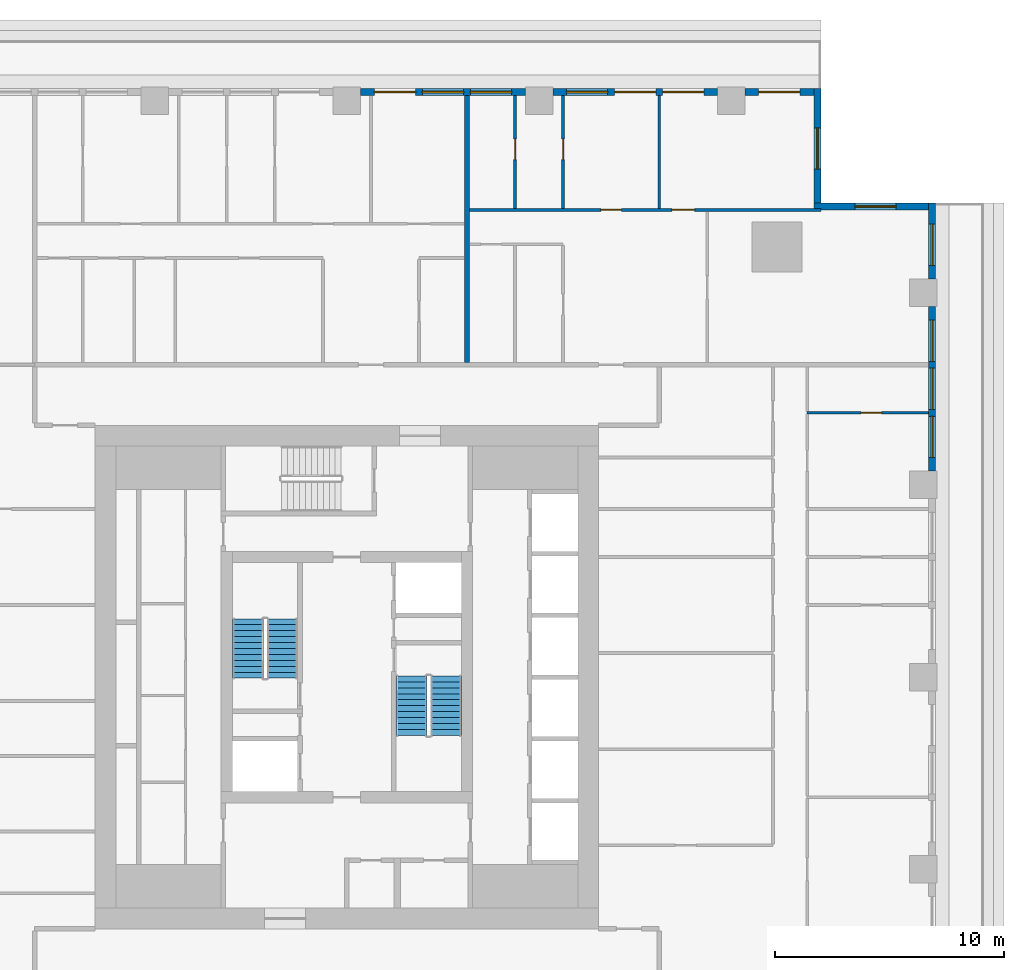
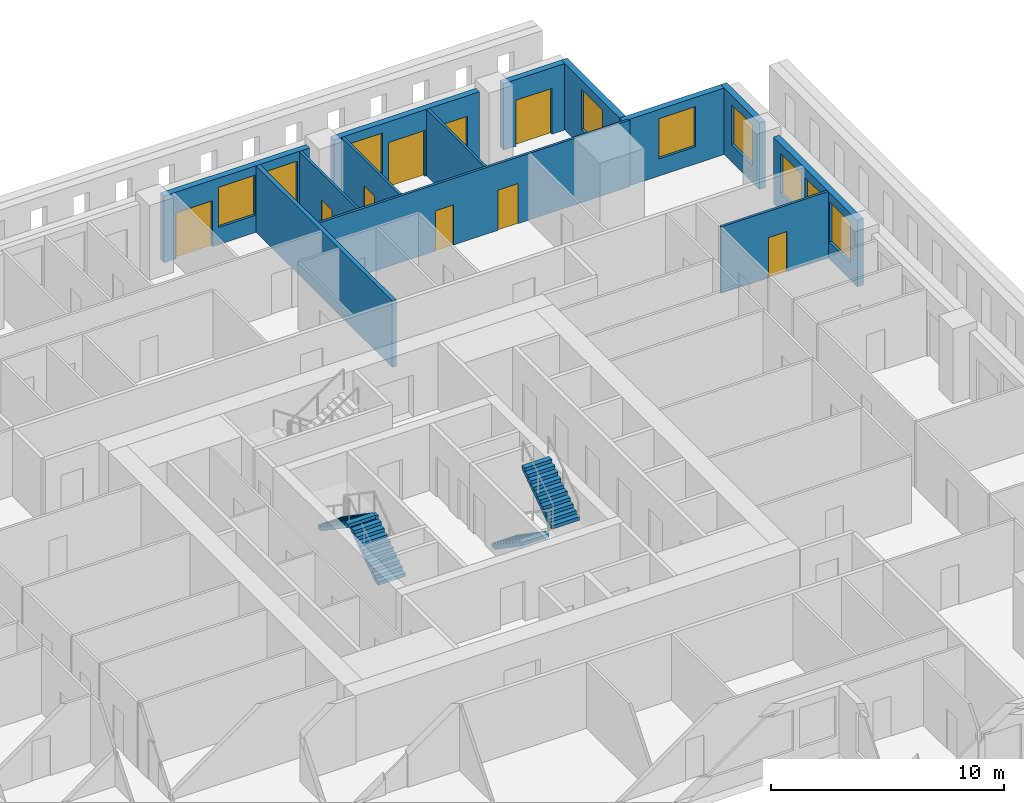
# One storey, part 9 of 15: 13 walls, 9 doors, 9 windows, 4 stair flights, 18 openings, 2 elements without a shape of their own.
"""IFC4 building model written with IfcOpenShell, lengths in metres."""

import ifcopenshell
import ifcopenshell.guid

model = None  # the IFC model being written
_history = None  # IfcOwnerHistory: only IFC2X3 demands one
_inside = {}  # id of a spatial element -> (the spatial element, [elements in it])
_under = {}  # id of a project, library or spatial element -> (it, [spatial elements below it])
_declared = {}  # id of a project -> (the project, [libraries it declares])
_typed = {}  # id of a type object -> (the type object, [elements of that type])
_made_of = {}  # id of a material, layer set ... -> (it, [elements and type objects made of it])


def new_model(schema):
    """Start an empty IFC model of exactly this schema.

    Asked for "IFC4X3", IfcOpenShell would pick the latest addendum, in which some entities
    have other attributes; the version numbers below select the first issue.
    IFC2X3 requires an IfcOwnerHistory on every rooted entity: one is made here for all.
    """
    global model, _history
    if schema == "IFC4X3":
        model = ifcopenshell.file(schema_version=(4, 3, 0, 0))
    else:
        model = ifcopenshell.file(schema=schema)
    _inside.clear()
    _under.clear()
    _declared.clear()
    _typed.clear()
    _made_of.clear()
    _history = None
    if model.schema == "IFC2X3":
        org = make("IfcOrganization", Name="unknown")
        user = make(
            "IfcPersonAndOrganization",
            ThePerson=make("IfcPerson", FamilyName="unknown"),
            TheOrganization=org,
        )
        app = make(
            "IfcApplication",
            ApplicationDeveloper=org,
            Version="unknown",
            ApplicationFullName="unknown",
            ApplicationIdentifier="unknown",
        )
        _history = make(
            "IfcOwnerHistory",
            OwningUser=user,
            OwningApplication=app,
            ChangeAction="ADDED",
            CreationDate=0,
        )
    return model


def make(cls, **values):
    """One entity of the class cls with the attributes given. An attribute that is None is left unset."""
    return model.create_entity(
        cls, **{name: value for name, value in values.items() if value is not None}
    )


def rooted(cls, **values):
    """An entity with a GlobalId (a new one), such as an element, a storey or a relation."""
    return make(cls, GlobalId=ifcopenshell.guid.new(), OwnerHistory=_history, **values)


def si_unit(unit_type, name, prefix=None):
    """IfcSIUnit, for example si_unit("LENGTHUNIT", "METRE", prefix="MILLI")."""
    return make("IfcSIUnit", UnitType=unit_type, Prefix=prefix, Name=name)


def assignment(units):
    """IfcUnitAssignment: the units of a project."""
    return None if units is None else make("IfcUnitAssignment", Units=units)


def point(xyz):
    """IfcCartesianPoint."""
    return None if xyz is None else make("IfcCartesianPoint", Coordinates=xyz)


def direction(xyz):
    """IfcDirection."""
    return None if xyz is None else make("IfcDirection", DirectionRatios=xyz)


def frame(location, z_axis=None, x_axis=None):
    """IfcAxis2Placement3D, a coordinate frame: its origin and axes. An axis left out is left unset."""
    return make(
        "IfcAxis2Placement3D",
        Location=point(location),
        Axis=direction(z_axis),
        RefDirection=direction(x_axis),
    )


def frame_2d(location, x_axis=None):
    """IfcAxis2Placement2D, a coordinate frame in the plane: its origin and x axis."""
    return make(
        "IfcAxis2Placement2D", Location=point(location), RefDirection=direction(x_axis)
    )


def origin():
    """The frame at (0, 0, 0) with its axes left unset."""
    return frame((0.0, 0.0, 0.0))


def place(relative_to, where):
    """IfcLocalPlacement: puts the frame where relative to a parent placement (None: the world)."""
    return make(
        "IfcLocalPlacement", PlacementRelTo=relative_to, RelativePlacement=where
    )


def context(
    kind, dimensions, precision=None, world=None, true_north=None, identifier=None
):
    """IfcGeometricRepresentationContext, for example the 3D "Model" context."""
    return make(
        "IfcGeometricRepresentationContext",
        ContextIdentifier=identifier,
        ContextType=kind,
        CoordinateSpaceDimension=dimensions,
        Precision=precision,
        WorldCoordinateSystem=world,
        TrueNorth=true_north,
    )


def subcontext(parent, identifier, kind, view, scale=None):
    """IfcGeometricRepresentationSubContext, for example "Body" below "Model"."""
    return make(
        "IfcGeometricRepresentationSubContext",
        ContextIdentifier=identifier,
        ContextType=kind,
        ParentContext=parent,
        TargetScale=scale,
        TargetView=view,
    )


def project(units=None, contexts=None):
    """IfcProject with its units and contexts."""
    return rooted(
        "IfcProject",
        Name="project",
        RepresentationContexts=contexts,
        UnitsInContext=assignment(units),
    )


def spatial(cls, under=None, at=None, **own):
    """A site, building, storey or space (cls), placed at a placement, below another one or the project."""
    s = rooted(cls, ObjectPlacement=at, **own)
    if under is not None:
        _under.setdefault(under.id(), (under, []))[1].append(s)
    return s


def polyline(points):
    """IfcPolyline through the points."""
    return make("IfcPolyline", Points=[point(p) for p in points])


def profile(cls, at=None, kind="AREA", **sizes):
    """A parametric profile (cls). Its sizes go by their IFC names, for example OverallWidth=200.0."""
    return make(cls, ProfileType=kind, Position=at, **sizes)


def rectangle(**sizes):
    """IfcRectangleProfileDef."""
    return profile("IfcRectangleProfileDef", **sizes)


def outline(outer, holes=None, kind="AREA"):
    """IfcArbitraryClosedProfileDef: a profile drawn as a closed curve; with holes, ...WithVoids."""
    if holes is None:
        return make("IfcArbitraryClosedProfileDef", ProfileType=kind, OuterCurve=outer)
    return make(
        "IfcArbitraryProfileDefWithVoids",
        ProfileType=kind,
        OuterCurve=outer,
        InnerCurves=holes,
    )


def extrude(swept, where, along, depth):
    """IfcExtrudedAreaSolid: the profile swept, set in the frame where, extruded along a direction by depth."""
    return make(
        "IfcExtrudedAreaSolid",
        SweptArea=swept,
        Position=where,
        ExtrudedDirection=direction(along),
        Depth=depth,
    )


def shape(context_of_items, identifier, shape_type, items):
    """IfcShapeRepresentation: the items that make up one representation, for example the "Body"."""
    return make(
        "IfcShapeRepresentation",
        ContextOfItems=context_of_items,
        RepresentationIdentifier=identifier,
        RepresentationType=shape_type,
        Items=items,
    )


def material(Name=None, Category=None):
    """IfcMaterial."""
    return make("IfcMaterial", Name=Name, Category=Category)


def layer(
    of_material, thickness, ventilated=None, Name=None, Category=None, Priority=None
):
    """IfcMaterialLayer: one layer of a wall or slab, of a material (None: an air gap)."""
    return make(
        "IfcMaterialLayer",
        Material=of_material,
        LayerThickness=thickness,
        IsVentilated=ventilated,
        Name=Name,
        Category=Category,
        Priority=Priority,
    )


def layer_set(layers, Name=None):
    """IfcMaterialLayerSet."""
    return make("IfcMaterialLayerSet", MaterialLayers=layers, LayerSetName=Name)


def made_of(thing, what):
    """Note that an element or type object is made of a material, layer set ...; save() writes the relation."""
    if what is not None:
        _made_of.setdefault(what.id(), (what, []))[1].append(thing)
    return thing


def type_object(cls, material=None, **own):
    """A type object (cls), such as IfcWallType, which elements share."""
    return made_of(rooted(cls, **own), material)


def element(
    cls,
    number,
    at=None,
    inside=None,
    cuts=None,
    type_object=None,
    material=None,
    context=None,
    identifier="Body",
    shape_type=None,
    held_by="IfcProductDefinitionShape",
    body=None,
    shapes=None,
    **own,
):
    """One element of the class cls, such as IfcWall. Its Tag is "e" and its number.

    at: its placement. inside: the storey or other place that contains it. cuts: it is an
    opening in that element (IfcRelVoidsElement). A single representation is given by context,
    identifier, shape_type and body (its items); several are given by shapes. held_by: the class
    of the entity that holds the representations. save() writes the other relations.
    """
    e = rooted(cls, Tag="e%d" % number, ObjectPlacement=at, **own)
    if body is not None:
        shapes = [shape(context, identifier, shape_type, body)]
    if shapes is not None:
        e.Representation = make(held_by, Representations=shapes)
    if inside is not None:
        _inside.setdefault(inside.id(), (inside, []))[1].append(e)
    if cuts is not None:
        rooted(
            "IfcRelVoidsElement", RelatingBuildingElement=cuts, RelatedOpeningElement=e
        )
    if type_object is not None:
        _typed.setdefault(type_object.id(), (type_object, []))[1].append(e)
    return made_of(e, material)


def fill(opening, filler):
    """IfcRelFillsElement: the door or window that sits in an opening."""
    return rooted(
        "IfcRelFillsElement",
        RelatingOpeningElement=opening,
        RelatedBuildingElement=filler,
    )


def aggregate(whole, parts):
    """IfcRelAggregates: a whole, such as a stair, and the parts it consists of."""
    return rooted("IfcRelAggregates", RelatingObject=whole, RelatedObjects=parts)


def save(model, path):
    """Write the relations noted so far, then the file.

    IfcRelAggregates (storeys below a building ...), IfcRelContainedInSpatialStructure (elements
    in a storey), IfcRelDefinesByType, IfcRelAssociatesMaterial and IfcRelDeclares: one each for
    every whole, place, type object, material and project.
    """
    for whole, parts in _under.values():
        aggregate(whole, parts)
    for where, things in _inside.values():
        rooted(
            "IfcRelContainedInSpatialStructure",
            RelatedElements=things,
            RelatingStructure=where,
        )
    for kind, things in _typed.values():
        rooted("IfcRelDefinesByType", RelatedObjects=things, RelatingType=kind)
    for what, things in _made_of.values():
        rooted("IfcRelAssociatesMaterial", RelatedObjects=things, RelatingMaterial=what)
    for by, libraries in _declared.values():
        rooted("IfcRelDeclares", RelatingContext=by, RelatedDefinitions=libraries)
    model.write(path)


model = new_model("IFC4")

# Units and contexts
model_context = context("Model", 3, precision=1e-05, world=origin(), true_north=direction((0.0, 1.0)))
body_context = subcontext(model_context, "Body", "Model", "MODEL_VIEW")
ifc_project = project(units=[si_unit("LENGTHUNIT", "METRE"), si_unit("AREAUNIT", "SQUARE_METRE"), si_unit("VOLUMEUNIT", "CUBIC_METRE"), si_unit("PLANEANGLEUNIT", "RADIAN"), si_unit("MASSUNIT", "GRAM", prefix="KILO")], contexts=[model_context])

# Site, building, storey
site_placement = place(None, origin())
site = spatial("IfcSite", under=ifc_project, at=site_placement, CompositionType="ELEMENT")
building_placement = place(site_placement, origin())
building = spatial("IfcBuilding", under=site, at=building_placement, Name="Khepri Terraces", CompositionType="ELEMENT")
storey_placement = place(building_placement, frame((0.0, 0.0, 260.10009765625)))
storey = spatial("IfcBuildingStorey", under=building, at=storey_placement, Name="L62", CompositionType="ELEMENT", Elevation=260.10009765625)

# Wall
ifc_material_1 = material(Name="Fire-rated gypsum plasterboard partition, mineral wool")
ifc_layer_1 = layer(ifc_material_1, 0.199951171875, Name="Fire-rated gypsum plasterboard partition, mineral wool")
ifc_layer_set_1 = layer_set([ifc_layer_1], Name="Fire-rated gypsum plasterboard partition, mineral wool")
wall_type_1 = type_object("IfcWallType", Name="WL-CORR-200", PredefinedType="PARTITIONING", material=ifc_layer_set_1)
wall_1_placement = place(storey_placement, frame((5.25, 13.75, 0.0), z_axis=(0.0, 0.0, 1.0), x_axis=(0.0, 1.0, 0.0)))
element("IfcWall", 1, at=wall_1_placement, inside=storey, type_object=wall_type_1, Name="Partition P-088 L62", PredefinedType="PARTITIONING", context=body_context, shape_type="SweptSolid", body=[
    extrude(rectangle(XDim=11.669921875, YDim=0.199951171875, at=frame_2d((5.8349609375, 0.0))), origin(), (0.0, 0.0, 1.0), 3.47998046875),
])

# Wall, openings, windows
ifc_material_2 = material(Name="Precast concrete C50/60 warm stone", Category="masonry")
ifc_layer_2 = layer(ifc_material_2, 0.300048828125, Name="Precast concrete C50/60 warm stone", Category="masonry")
ifc_layer_set_2 = layer_set([ifc_layer_2], Name="Precast concrete C50/60 warm stone")
wall_type_2 = type_object("IfcWallType", Name="WL-EXT-PRECAST-300", PredefinedType="STANDARD", material=ifc_layer_set_2)
wall_2_placement = place(storey_placement, frame((25.570068359375, 9.0, 0.0), z_axis=(0.0, 0.0, 1.0), x_axis=(0.0, 1.0, 0.0)))
wall_2 = element("IfcWall", 2, at=wall_2_placement, inside=storey, type_object=wall_type_2, Name="External wall L62 E", PredefinedType="STANDARD", context=body_context, shape_type="SweptSolid", body=[
    extrude(rectangle(XDim=7.199951171875, YDim=0.300048828125, at=frame_2d((3.60009765625, 0.0))), origin(), (0.0, 0.0, 1.0), 3.47998046875),
])
opening_1_placement = place(wall_2_placement, frame((0.60009765625, 0.0, 0.89990234375)))
opening_1 = element("IfcOpeningElement", 3, at=opening_1_placement, cuts=wall_2, Name="Opening W1", PredefinedType="OPENING", context=body_context, shape_type="SweptSolid", body=[
    extrude(rectangle(XDim=1.800048828125, YDim=2.10009765625, at=frame_2d((0.89990234375, 1.050048828125))), frame((0.0, 0.16015625, 0.0), z_axis=(0.0, -1.0, 0.0), x_axis=(1.0, 0.0, 0.0)), (0.0, 0.0, 1.0), 0.320068359375),
])
opening_2_placement = place(wall_2_placement, frame((2.699951171875, 0.0, 0.89990234375)))
opening_2 = element("IfcOpeningElement", 4, at=opening_2_placement, cuts=wall_2, Name="Opening W1", PredefinedType="OPENING", context=body_context, shape_type="SweptSolid", body=[
    extrude(rectangle(XDim=1.800048828125, YDim=2.10009765625, at=frame_2d((0.89990234375, 1.050048828125))), frame((0.0, 0.16015625, 0.0), z_axis=(0.0, -1.0, 0.0), x_axis=(1.0, 0.0, 0.0)), (0.0, 0.0, 1.0), 0.320068359375),
])
opening_3_placement = place(wall_2_placement, frame((4.800048828125, 0.0, 0.89990234375)))
opening_3 = element("IfcOpeningElement", 5, at=opening_3_placement, cuts=wall_2, Name="Opening W1", PredefinedType="OPENING", context=body_context, shape_type="SweptSolid", body=[
    extrude(rectangle(XDim=1.800048828125, YDim=2.10009765625, at=frame_2d((0.89990234375, 1.050048828125))), frame((0.0, 0.16015625, 0.0), z_axis=(0.0, -1.0, 0.0), x_axis=(1.0, 0.0, 0.0)), (0.0, 0.0, 1.0), 0.320068359375),
])
ifc_material_3 = material(Name="Clear glass", Category="glass")
window_type = type_object("IfcWindowType", Name="WIN-RES-1800x2100", PartitioningType="SINGLE_PANEL", PredefinedType="WINDOW", material=ifc_material_3)
window_1_placement = place(opening_1_placement, origin())
window_1 = element("IfcWindow", 6, at=window_1_placement, inside=storey, type_object=window_type, Name="Window L62 E", OverallHeight=2.10009765625, OverallWidth=1.800048828125, PartitioningType="SINGLE_PANEL", PredefinedType="WINDOW", context=body_context, shape_type="SweptSolid", body=[
    extrude(rectangle(XDim=1.800048828125, YDim=2.10009765625, at=frame_2d((0.89990234375, 1.050048828125))), frame((0.0, 0.030029296875, 0.0), z_axis=(0.0, -1.0, 0.0), x_axis=(1.0, 0.0, 0.0)), (0.0, 0.0, 1.0), 0.06005859375),
])
fill(opening_1, window_1)
window_2_placement = place(opening_2_placement, origin())
window_2 = element("IfcWindow", 7, at=window_2_placement, inside=storey, type_object=window_type, Name="Window L62 E", OverallHeight=2.10009765625, OverallWidth=1.800048828125, PartitioningType="SINGLE_PANEL", PredefinedType="WINDOW", context=body_context, shape_type="SweptSolid", body=[
    extrude(rectangle(XDim=1.800048828125, YDim=2.10009765625, at=frame_2d((0.89990234375, 1.050048828125))), frame((0.0, 0.030029296875, 0.0), z_axis=(0.0, -1.0, 0.0), x_axis=(1.0, 0.0, 0.0)), (0.0, 0.0, 1.0), 0.06005859375),
])
fill(opening_2, window_2)
window_3_placement = place(opening_3_placement, origin())
window_3 = element("IfcWindow", 8, at=window_3_placement, inside=storey, type_object=window_type, Name="Window L62 E", OverallHeight=2.10009765625, OverallWidth=1.800048828125, PartitioningType="SINGLE_PANEL", PredefinedType="WINDOW", context=body_context, shape_type="SweptSolid", body=[
    extrude(rectangle(XDim=1.800048828125, YDim=2.10009765625, at=frame_2d((0.89990234375, 1.050048828125))), frame((0.0, 0.030029296875, 0.0), z_axis=(0.0, -1.0, 0.0), x_axis=(1.0, 0.0, 0.0)), (0.0, 0.0, 1.0), 0.06005859375),
])
fill(opening_3, window_3)

# Wall, opening, window
wall_3_placement = place(storey_placement, frame((25.570068359375, 17.39990234375, 0.0), z_axis=(0.0, 0.0, 1.0), x_axis=(0.0, 1.0, 0.0)))
wall_3 = element("IfcWall", 9, at=wall_3_placement, inside=storey, type_object=wall_type_2, Name="External wall L62 E", PredefinedType="STANDARD", context=body_context, shape_type="SweptSolid", body=[
    extrude(rectangle(XDim=3.320068359375, YDim=0.300048828125, at=frame_2d((1.66015625, 0.0))), origin(), (0.0, 0.0, 1.0), 3.47998046875),
])
opening_4_placement = place(wall_3_placement, frame((0.60009765625, 0.0, 0.89990234375)))
opening_4 = element("IfcOpeningElement", 10, at=opening_4_placement, cuts=wall_3, Name="Opening W1", PredefinedType="OPENING", context=body_context, shape_type="SweptSolid", body=[
    extrude(rectangle(XDim=1.800048828125, YDim=2.10009765625, at=frame_2d((0.89990234375, 1.050048828125))), frame((0.0, 0.16015625, 0.0), z_axis=(0.0, -1.0, 0.0), x_axis=(1.0, 0.0, 0.0)), (0.0, 0.0, 1.0), 0.320068359375),
])
window_4_placement = place(opening_4_placement, origin())
window_4 = element("IfcWindow", 11, at=window_4_placement, inside=storey, type_object=window_type, Name="Window L62 E", OverallHeight=2.10009765625, OverallWidth=1.800048828125, PartitioningType="SINGLE_PANEL", PredefinedType="WINDOW", context=body_context, shape_type="SweptSolid", body=[
    extrude(rectangle(XDim=1.800048828125, YDim=2.10009765625, at=frame_2d((0.89990234375, 1.050048828125))), frame((0.0, 0.030029296875, 0.0), z_axis=(0.0, -1.0, 0.0), x_axis=(1.0, 0.0, 0.0)), (0.0, 0.0, 1.0), 0.06005859375),
])
fill(opening_4, window_4)

wall_4_placement = place(storey_placement, frame((25.419921875, 20.570068359375, 0.0), z_axis=(0.0, 0.0, 1.0), x_axis=(-1.0, 0.0, 0.0)))
wall_4 = element("IfcWall", 12, at=wall_4_placement, inside=storey, type_object=wall_type_2, Name="External wall L62 N", PredefinedType="STANDARD", context=body_context, shape_type="SweptSolid", body=[
    extrude(rectangle(XDim=5.0, YDim=0.300048828125, at=frame_2d((2.5, 0.0))), origin(), (0.0, 0.0, 1.0), 3.47998046875),
])
opening_5_placement = place(wall_4_placement, frame((1.419921875, 0.0, 0.89990234375)))
opening_5 = element("IfcOpeningElement", 13, at=opening_5_placement, cuts=wall_4, Name="Opening W1", PredefinedType="OPENING", context=body_context, shape_type="SweptSolid", body=[
    extrude(rectangle(XDim=1.800048828125, YDim=2.10009765625, at=frame_2d((0.89990234375, 1.050048828125))), frame((0.0, 0.16015625, 0.0), z_axis=(0.0, -1.0, 0.0), x_axis=(1.0, 0.0, 0.0)), (0.0, 0.0, 1.0), 0.320068359375),
])
window_5_placement = place(opening_5_placement, origin())
window_5 = element("IfcWindow", 14, at=window_5_placement, inside=storey, type_object=window_type, Name="Window L62 N", OverallHeight=2.10009765625, OverallWidth=1.800048828125, PartitioningType="SINGLE_PANEL", PredefinedType="WINDOW", context=body_context, shape_type="SweptSolid", body=[
    extrude(rectangle(XDim=1.800048828125, YDim=2.10009765625, at=frame_2d((0.89990234375, 1.050048828125))), frame((0.0, 0.030029296875, 0.0), z_axis=(0.0, -1.0, 0.0), x_axis=(1.0, 0.0, 0.0)), (0.0, 0.0, 1.0), 0.06005859375),
])
fill(opening_5, window_5)

wall_5_placement = place(storey_placement, frame((20.570068359375, 20.719970703125, 0.0), z_axis=(0.0, 0.0, 1.0), x_axis=(0.0, 1.0, 0.0)))
wall_5 = element("IfcWall", 15, at=wall_5_placement, inside=storey, type_object=wall_type_2, Name="External wall L62 E", PredefinedType="STANDARD", context=body_context, shape_type="SweptSolid", body=[
    extrude(rectangle(XDim=5.0, YDim=0.300048828125, at=frame_2d((2.5, 0.0))), origin(), (0.0, 0.0, 1.0), 3.47998046875),
])
opening_6_placement = place(wall_5_placement, frame((1.47998046875, 0.0, 0.89990234375)))
opening_6 = element("IfcOpeningElement", 16, at=opening_6_placement, cuts=wall_5, Name="Opening W1", PredefinedType="OPENING", context=body_context, shape_type="SweptSolid", body=[
    extrude(rectangle(XDim=1.800048828125, YDim=2.10009765625, at=frame_2d((0.89990234375, 1.050048828125))), frame((0.0, 0.16015625, 0.0), z_axis=(0.0, -1.0, 0.0), x_axis=(1.0, 0.0, 0.0)), (0.0, 0.0, 1.0), 0.320068359375),
])
window_6_placement = place(opening_6_placement, origin())
window_6 = element("IfcWindow", 17, at=window_6_placement, inside=storey, type_object=window_type, Name="Window L62 E", OverallHeight=2.10009765625, OverallWidth=1.800048828125, PartitioningType="SINGLE_PANEL", PredefinedType="WINDOW", context=body_context, shape_type="SweptSolid", body=[
    extrude(rectangle(XDim=1.800048828125, YDim=2.10009765625, at=frame_2d((0.89990234375, 1.050048828125))), frame((0.0, 0.030029296875, 0.0), z_axis=(0.0, -1.0, 0.0), x_axis=(1.0, 0.0, 0.0)), (0.0, 0.0, 1.0), 0.06005859375),
])
fill(opening_6, window_6)

# Wall, opening, door
wall_6_placement = place(storey_placement, frame((20.419921875, 25.570068359375, 0.0), z_axis=(0.0, 0.0, 1.0), x_axis=(-1.0, 0.0, 0.0)))
wall_6 = element("IfcWall", 18, at=wall_6_placement, inside=storey, type_object=wall_type_2, Name="External wall L62 N", PredefinedType="STANDARD", context=body_context, shape_type="SweptSolid", body=[
    extrude(rectangle(XDim=3.02001953125, YDim=0.300048828125, at=frame_2d((1.510009765625, 0.0))), origin(), (0.0, 0.0, 1.0), 3.47998046875),
])
opening_7_placement = place(wall_6_placement, frame((0.6201171875, 0.0, 0.0)))
opening_7 = element("IfcOpeningElement", 19, at=opening_7_placement, cuts=wall_6, Name="Opening ED-L62-07", PredefinedType="OPENING", context=body_context, shape_type="SweptSolid", body=[
    extrude(rectangle(XDim=1.800048828125, YDim=2.39990234375, at=frame_2d((0.89990234375, 1.199951171875))), frame((0.0, 0.16015625, 0.0), z_axis=(0.0, -1.0, 0.0), x_axis=(1.0, 0.0, 0.0)), (0.0, 0.0, 1.0), 0.320068359375),
])
ifc_material_4 = material(Name="Anodised aluminium bronze glazed door", Category="aluminium")
door_type_1 = type_object("IfcDoorType", Name="DR-BAL-SLIDE-1800x2400", OperationType="NOTDEFINED", PredefinedType="DOOR", material=ifc_material_4)
door_1_placement = place(opening_7_placement, origin())
door_1 = element("IfcDoor", 20, at=door_1_placement, inside=storey, type_object=door_type_1, Name="Balcony door L62 N", OperationType="SLIDING_TO_RIGHT", OverallHeight=2.39990234375, OverallWidth=1.800048828125, PredefinedType="DOOR", context=body_context, shape_type="SweptSolid", body=[
    extrude(rectangle(XDim=1.800048828125, YDim=2.39990234375, at=frame_2d((0.89990234375, 1.199951171875))), frame((0.0, 0.02490234375, 0.0), z_axis=(0.0, -1.0, 0.0), x_axis=(1.0, 0.0, 0.0)), (0.0, 0.0, 1.0), 0.050048828125),
])
fill(opening_7, door_1)

# Wall, openings, doors, window
wall_7_placement = place(storey_placement, frame((16.199951171875, 25.570068359375, 0.0), z_axis=(0.0, 0.0, 1.0), x_axis=(-1.0, 0.0, 0.0)))
wall_7 = element("IfcWall", 21, at=wall_7_placement, inside=storey, type_object=wall_type_2, Name="External wall L62 N", PredefinedType="STANDARD", context=body_context, shape_type="SweptSolid", body=[
    extrude(rectangle(XDim=7.199951171875, YDim=0.300048828125, at=frame_2d((3.60009765625, 0.0))), origin(), (0.0, 0.0, 1.0), 3.47998046875),
])
opening_8_placement = place(wall_7_placement, frame((0.60009765625, 0.0, 0.0)))
opening_8 = element("IfcOpeningElement", 22, at=opening_8_placement, cuts=wall_7, Name="Opening ED-L62-08", PredefinedType="OPENING", context=body_context, shape_type="SweptSolid", body=[
    extrude(rectangle(XDim=1.800048828125, YDim=2.39990234375, at=frame_2d((0.89990234375, 1.199951171875))), frame((0.0, 0.16015625, 0.0), z_axis=(0.0, -1.0, 0.0), x_axis=(1.0, 0.0, 0.0)), (0.0, 0.0, 1.0), 0.320068359375),
])
opening_9_placement = place(wall_7_placement, frame((2.699951171875, 0.0, 0.0)))
opening_9 = element("IfcOpeningElement", 23, at=opening_9_placement, cuts=wall_7, Name="Opening ED-L62-09", PredefinedType="OPENING", context=body_context, shape_type="SweptSolid", body=[
    extrude(rectangle(XDim=1.800048828125, YDim=2.39990234375, at=frame_2d((0.89990234375, 1.199951171875))), frame((0.0, 0.16015625, 0.0), z_axis=(0.0, -1.0, 0.0), x_axis=(1.0, 0.0, 0.0)), (0.0, 0.0, 1.0), 0.320068359375),
])
opening_10_placement = place(wall_7_placement, frame((4.800048828125, 0.0, 0.89990234375)))
opening_10 = element("IfcOpeningElement", 24, at=opening_10_placement, cuts=wall_7, Name="Opening W1", PredefinedType="OPENING", context=body_context, shape_type="SweptSolid", body=[
    extrude(rectangle(XDim=1.800048828125, YDim=2.10009765625, at=frame_2d((0.89990234375, 1.050048828125))), frame((0.0, 0.16015625, 0.0), z_axis=(0.0, -1.0, 0.0), x_axis=(1.0, 0.0, 0.0)), (0.0, 0.0, 1.0), 0.320068359375),
])
door_2_placement = place(opening_8_placement, origin())
door_2 = element("IfcDoor", 25, at=door_2_placement, inside=storey, type_object=door_type_1, Name="Balcony door L62 N", OperationType="SLIDING_TO_LEFT", OverallHeight=2.39990234375, OverallWidth=1.800048828125, PredefinedType="DOOR", context=body_context, shape_type="SweptSolid", body=[
    extrude(rectangle(XDim=1.800048828125, YDim=2.39990234375, at=frame_2d((0.89990234375, 1.199951171875))), frame((0.0, 0.02490234375, 0.0), z_axis=(0.0, -1.0, 0.0), x_axis=(1.0, 0.0, 0.0)), (0.0, 0.0, 1.0), 0.050048828125),
])
fill(opening_8, door_2)
door_3_placement = place(opening_9_placement, origin())
door_3 = element("IfcDoor", 26, at=door_3_placement, inside=storey, type_object=door_type_1, Name="Balcony door L62 N", OperationType="SLIDING_TO_RIGHT", OverallHeight=2.39990234375, OverallWidth=1.800048828125, PredefinedType="DOOR", context=body_context, shape_type="SweptSolid", body=[
    extrude(rectangle(XDim=1.800048828125, YDim=2.39990234375, at=frame_2d((0.89990234375, 1.199951171875))), frame((0.0, 0.02490234375, 0.0), z_axis=(0.0, -1.0, 0.0), x_axis=(1.0, 0.0, 0.0)), (0.0, 0.0, 1.0), 0.050048828125),
])
fill(opening_9, door_3)
window_7_placement = place(opening_10_placement, origin())
window_7 = element("IfcWindow", 27, at=window_7_placement, inside=storey, type_object=window_type, Name="Window L62 N", OverallHeight=2.10009765625, OverallWidth=1.800048828125, PartitioningType="SINGLE_PANEL", PredefinedType="WINDOW", context=body_context, shape_type="SweptSolid", body=[
    extrude(rectangle(XDim=1.800048828125, YDim=2.10009765625, at=frame_2d((0.89990234375, 1.050048828125))), frame((0.0, 0.030029296875, 0.0), z_axis=(0.0, -1.0, 0.0), x_axis=(1.0, 0.0, 0.0)), (0.0, 0.0, 1.0), 0.06005859375),
])
fill(opening_10, window_7)

# Wall, openings, door, windows
wall_8_placement = place(storey_placement, frame((7.800048828125, 25.570068359375, 0.0), z_axis=(0.0, 0.0, 1.0), x_axis=(-1.0, 0.0, 0.0)))
wall_8 = element("IfcWall", 28, at=wall_8_placement, inside=storey, type_object=wall_type_2, Name="External wall L62 N", PredefinedType="STANDARD", context=body_context, shape_type="SweptSolid", body=[
    extrude(rectangle(XDim=7.199951171875, YDim=0.300048828125, at=frame_2d((3.60009765625, 0.0))), origin(), (0.0, 0.0, 1.0), 3.47998046875),
])
opening_11_placement = place(wall_8_placement, frame((0.60009765625, 0.0, 0.89990234375)))
opening_11 = element("IfcOpeningElement", 29, at=opening_11_placement, cuts=wall_8, Name="Opening W1", PredefinedType="OPENING", context=body_context, shape_type="SweptSolid", body=[
    extrude(rectangle(XDim=1.800048828125, YDim=2.10009765625, at=frame_2d((0.89990234375, 1.050048828125))), frame((0.0, 0.16015625, 0.0), z_axis=(0.0, -1.0, 0.0), x_axis=(1.0, 0.0, 0.0)), (0.0, 0.0, 1.0), 0.320068359375),
])
opening_12_placement = place(wall_8_placement, frame((2.699951171875, 0.0, 0.89990234375)))
opening_12 = element("IfcOpeningElement", 30, at=opening_12_placement, cuts=wall_8, Name="Opening W1", PredefinedType="OPENING", context=body_context, shape_type="SweptSolid", body=[
    extrude(rectangle(XDim=1.800048828125, YDim=2.10009765625, at=frame_2d((0.89990234375, 1.050048828125))), frame((0.0, 0.16015625, 0.0), z_axis=(0.0, -1.0, 0.0), x_axis=(1.0, 0.0, 0.0)), (0.0, 0.0, 1.0), 0.320068359375),
])
opening_13_placement = place(wall_8_placement, frame((4.800048828125, 0.0, 0.0)))
opening_13 = element("IfcOpeningElement", 31, at=opening_13_placement, cuts=wall_8, Name="Opening ED-L62-10", PredefinedType="OPENING", context=body_context, shape_type="SweptSolid", body=[
    extrude(rectangle(XDim=1.800048828125, YDim=2.39990234375, at=frame_2d((0.89990234375, 1.199951171875))), frame((0.0, 0.16015625, 0.0), z_axis=(0.0, -1.0, 0.0), x_axis=(1.0, 0.0, 0.0)), (0.0, 0.0, 1.0), 0.320068359375),
])
door_4_placement = place(opening_13_placement, origin())
door_4 = element("IfcDoor", 32, at=door_4_placement, inside=storey, type_object=door_type_1, Name="Balcony door L62 N", OperationType="SLIDING_TO_RIGHT", OverallHeight=2.39990234375, OverallWidth=1.800048828125, PredefinedType="DOOR", context=body_context, shape_type="SweptSolid", body=[
    extrude(rectangle(XDim=1.800048828125, YDim=2.39990234375, at=frame_2d((0.89990234375, 1.199951171875))), frame((0.0, 0.02490234375, 0.0), z_axis=(0.0, -1.0, 0.0), x_axis=(1.0, 0.0, 0.0)), (0.0, 0.0, 1.0), 0.050048828125),
])
fill(opening_13, door_4)
window_8_placement = place(opening_11_placement, origin())
window_8 = element("IfcWindow", 33, at=window_8_placement, inside=storey, type_object=window_type, Name="Window L62 N", OverallHeight=2.10009765625, OverallWidth=1.800048828125, PartitioningType="SINGLE_PANEL", PredefinedType="WINDOW", context=body_context, shape_type="SweptSolid", body=[
    extrude(rectangle(XDim=1.800048828125, YDim=2.10009765625, at=frame_2d((0.89990234375, 1.050048828125))), frame((0.0, 0.030029296875, 0.0), z_axis=(0.0, -1.0, 0.0), x_axis=(1.0, 0.0, 0.0)), (0.0, 0.0, 1.0), 0.06005859375),
])
fill(opening_11, window_8)
window_9_placement = place(opening_12_placement, origin())
window_9 = element("IfcWindow", 34, at=window_9_placement, inside=storey, type_object=window_type, Name="Window L62 N", OverallHeight=2.10009765625, OverallWidth=1.800048828125, PartitioningType="SINGLE_PANEL", PredefinedType="WINDOW", context=body_context, shape_type="SweptSolid", body=[
    extrude(rectangle(XDim=1.800048828125, YDim=2.10009765625, at=frame_2d((0.89990234375, 1.050048828125))), frame((0.0, 0.030029296875, 0.0), z_axis=(0.0, -1.0, 0.0), x_axis=(1.0, 0.0, 0.0)), (0.0, 0.0, 1.0), 0.06005859375),
])
fill(opening_12, window_9)

# Wall, opening, door
ifc_material_5 = material(Name="Gypsum plasterboard partition")
ifc_layer_3 = layer(ifc_material_5, 0.1201171875, Name="Gypsum plasterboard partition")
ifc_layer_set_3 = layer_set([ifc_layer_3], Name="Gypsum plasterboard partition")
wall_type_3 = type_object("IfcWallType", Name="WL-PART-120", PredefinedType="PARTITIONING", material=ifc_layer_set_3)
wall_9_placement = place(storey_placement, frame((20.1201171875, 11.550048828125, 0.0), z_axis=(0.0, 0.0, 1.0), x_axis=(1.0, 0.0, 0.0)))
wall_9 = element("IfcWall", 35, at=wall_9_placement, inside=storey, type_object=wall_type_3, Name="Partition P-076 L62", PredefinedType="PARTITIONING", context=body_context, shape_type="SweptSolid", body=[
    extrude(rectangle(XDim=5.2998046875, YDim=0.1201171875, at=frame_2d((2.64990234375, 0.0))), origin(), (0.0, 0.0, 1.0), 3.47998046875),
])
opening_14_placement = place(wall_9_placement, frame((2.35009765625, 0.0, 0.0)))
opening_14 = element("IfcOpeningElement", 36, at=opening_14_placement, cuts=wall_9, Name="Opening D4", PredefinedType="OPENING", context=body_context, shape_type="SweptSolid", body=[
    extrude(rectangle(XDim=0.89990234375, YDim=2.10009765625, at=frame_2d((0.449951171875, 1.050048828125))), frame((0.0, 0.070068359375, 0.0), z_axis=(0.0, -1.0, 0.0), x_axis=(1.0, 0.0, 0.0)), (0.0, 0.0, 1.0), 0.14013671875),
])
ifc_material_6 = material(Name="Timber door leaf, moisture resistant", Category="wood")
door_type_2 = type_object("IfcDoorType", Name="DR-WET-900", OperationType="NOTDEFINED", PredefinedType="DOOR", material=ifc_material_6)
door_5_placement = place(opening_14_placement, origin())
door_5 = element("IfcDoor", 37, at=door_5_placement, inside=storey, type_object=door_type_2, Name="Door Bathroom", OperationType="SINGLE_SWING_RIGHT", OverallHeight=2.10009765625, OverallWidth=0.89990234375, PredefinedType="DOOR", context=body_context, shape_type="SweptSolid", body=[
    extrude(rectangle(XDim=0.89990234375, YDim=2.10009765625, at=frame_2d((0.449951171875, 1.050048828125))), frame((0.0, 0.02490234375, 0.0), z_axis=(0.0, -1.0, 0.0), x_axis=(1.0, 0.0, 0.0)), (0.0, 0.0, 1.0), 0.050048828125),
])
fill(opening_14, door_5)

# Wall, openings, doors
wall_10_placement = place(storey_placement, frame((5.35009765625, 20.419921875, 0.0), z_axis=(0.0, 0.0, 1.0), x_axis=(1.0, 0.0, 0.0)))
wall_10 = element("IfcWall", 38, at=wall_10_placement, inside=storey, type_object=wall_type_3, Name="Partition P-101 L62", PredefinedType="PARTITIONING", context=body_context, shape_type="SweptSolid", body=[
    extrude(rectangle(XDim=15.368896484375, YDim=0.1201171875, at=frame_2d((7.6845703125, 0.0))), origin(), (0.0, 0.0, 1.0), 3.47998046875),
])
opening_15_placement = place(wall_10_placement, frame((8.85009765625, 0.0, 0.0)))
opening_15 = element("IfcOpeningElement", 39, at=opening_15_placement, cuts=wall_10, Name="Opening D2", PredefinedType="OPENING", context=body_context, shape_type="SweptSolid", body=[
    extrude(rectangle(XDim=1.0, YDim=2.10009765625, at=frame_2d((0.5, 1.050048828125))), frame((0.0, 0.070068359375, 0.0), z_axis=(0.0, -1.0, 0.0), x_axis=(1.0, 0.0, 0.0)), (0.0, 0.0, 1.0), 0.14013671875),
])
opening_16_placement = place(wall_10_placement, frame((5.75, 0.0, 0.0)))
opening_16 = element("IfcOpeningElement", 40, at=opening_16_placement, cuts=wall_10, Name="Opening D3", PredefinedType="OPENING", context=body_context, shape_type="SweptSolid", body=[
    extrude(rectangle(XDim=0.89990234375, YDim=2.10009765625, at=frame_2d((0.449951171875, 1.050048828125))), frame((0.0, 0.070068359375, 0.0), z_axis=(0.0, -1.0, 0.0), x_axis=(1.0, 0.0, 0.0)), (0.0, 0.0, 1.0), 0.14013671875),
])
ifc_material_7 = material(Name="Timber door leaf, living room door", Category="wood")
door_type_3 = type_object("IfcDoorType", Name="DR-INT-1000", OperationType="NOTDEFINED", PredefinedType="DOOR", material=ifc_material_7)
door_6_placement = place(opening_15_placement, origin())
door_6 = element("IfcDoor", 41, at=door_6_placement, inside=storey, type_object=door_type_3, Name="Door Living Room", OperationType="SINGLE_SWING_RIGHT", OverallHeight=2.10009765625, OverallWidth=1.0, PredefinedType="DOOR", context=body_context, shape_type="SweptSolid", body=[
    extrude(rectangle(XDim=1.0, YDim=2.10009765625, at=frame_2d((0.5, 1.050048828125))), frame((0.0, 0.02490234375, 0.0), z_axis=(0.0, -1.0, 0.0), x_axis=(1.0, 0.0, 0.0)), (0.0, 0.0, 1.0), 0.050048828125),
])
fill(opening_15, door_6)
ifc_material_8 = material(Name="Timber door leaf", Category="wood")
door_type_4 = type_object("IfcDoorType", Name="DR-INT-900", OperationType="NOTDEFINED", PredefinedType="DOOR", material=ifc_material_8)
door_7_placement = place(opening_16_placement, origin())
door_7 = element("IfcDoor", 42, at=door_7_placement, inside=storey, type_object=door_type_4, Name="Door Master Bedroom", OperationType="SINGLE_SWING_LEFT", OverallHeight=2.10009765625, OverallWidth=0.89990234375, PredefinedType="DOOR", context=body_context, shape_type="SweptSolid", body=[
    extrude(rectangle(XDim=0.89990234375, YDim=2.10009765625, at=frame_2d((0.449951171875, 1.050048828125))), frame((0.0, 0.02490234375, 0.0), z_axis=(0.0, -1.0, 0.0), x_axis=(1.0, 0.0, 0.0)), (0.0, 0.0, 1.0), 0.050048828125),
])
fill(opening_16, door_7)

# Wall, opening, door
wall_11_placement = place(storey_placement, frame((7.35009765625, 20.47998046875, 0.0), z_axis=(0.0, 0.0, 1.0), x_axis=(0.0, 1.0, 0.0)))
wall_11 = element("IfcWall", 43, at=wall_11_placement, inside=storey, type_object=wall_type_3, Name="Partition P-102 L62", PredefinedType="PARTITIONING", context=body_context, shape_type="SweptSolid", body=[
    extrude(rectangle(XDim=4.93994140625, YDim=0.1201171875, at=frame_2d((2.469970703125, 0.0))), origin(), (0.0, 0.0, 1.0), 3.47998046875),
])
opening_17_placement = place(wall_11_placement, frame((2.139892578125, 0.0, 0.0)))
opening_17 = element("IfcOpeningElement", 44, at=opening_17_placement, cuts=wall_11, Name="Opening D4", PredefinedType="OPENING", context=body_context, shape_type="SweptSolid", body=[
    extrude(rectangle(XDim=0.89990234375, YDim=2.10009765625, at=frame_2d((0.449951171875, 1.050048828125))), frame((0.0, 0.070068359375, 0.0), z_axis=(0.0, -1.0, 0.0), x_axis=(1.0, 0.0, 0.0)), (0.0, 0.0, 1.0), 0.14013671875),
])
door_8_placement = place(opening_17_placement, origin())
door_8 = element("IfcDoor", 45, at=door_8_placement, inside=storey, type_object=door_type_2, Name="Door Bathroom", OperationType="SINGLE_SWING_RIGHT", OverallHeight=2.10009765625, OverallWidth=0.89990234375, PredefinedType="DOOR", context=body_context, shape_type="SweptSolid", body=[
    extrude(rectangle(XDim=0.89990234375, YDim=2.10009765625, at=frame_2d((0.449951171875, 1.050048828125))), frame((0.0, 0.02490234375, 0.0), z_axis=(0.0, -1.0, 0.0), x_axis=(1.0, 0.0, 0.0)), (0.0, 0.0, 1.0), 0.050048828125),
])
fill(opening_17, door_8)

wall_12_placement = place(storey_placement, frame((9.449951171875, 20.47998046875, 0.0), z_axis=(0.0, 0.0, 1.0), x_axis=(0.0, 1.0, 0.0)))
wall_12 = element("IfcWall", 46, at=wall_12_placement, inside=storey, type_object=wall_type_3, Name="Partition P-103 L62", PredefinedType="PARTITIONING", context=body_context, shape_type="SweptSolid", body=[
    extrude(rectangle(XDim=4.93994140625, YDim=0.1201171875, at=frame_2d((2.469970703125, 0.0))), origin(), (0.0, 0.0, 1.0), 3.47998046875),
])
opening_18_placement = place(wall_12_placement, frame((2.139892578125, 0.0, 0.0)))
opening_18 = element("IfcOpeningElement", 47, at=opening_18_placement, cuts=wall_12, Name="Opening D3", PredefinedType="OPENING", context=body_context, shape_type="SweptSolid", body=[
    extrude(rectangle(XDim=0.89990234375, YDim=2.10009765625, at=frame_2d((0.449951171875, 1.050048828125))), frame((0.0, 0.070068359375, 0.0), z_axis=(0.0, -1.0, 0.0), x_axis=(1.0, 0.0, 0.0)), (0.0, 0.0, 1.0), 0.14013671875),
])
door_9_placement = place(opening_18_placement, origin())
door_9 = element("IfcDoor", 48, at=door_9_placement, inside=storey, type_object=door_type_4, Name="Door Dressing Room", OperationType="SINGLE_SWING_RIGHT", OverallHeight=2.10009765625, OverallWidth=0.89990234375, PredefinedType="DOOR", context=body_context, shape_type="SweptSolid", body=[
    extrude(rectangle(XDim=0.89990234375, YDim=2.10009765625, at=frame_2d((0.449951171875, 1.050048828125))), frame((0.0, 0.02490234375, 0.0), z_axis=(0.0, -1.0, 0.0), x_axis=(1.0, 0.0, 0.0)), (0.0, 0.0, 1.0), 0.050048828125),
])
fill(opening_18, door_9)

# Wall
wall_13_placement = place(storey_placement, frame((13.64990234375, 20.47998046875, 0.0), z_axis=(0.0, 0.0, 1.0), x_axis=(0.0, 1.0, 0.0)))
element("IfcWall", 49, at=wall_13_placement, inside=storey, type_object=wall_type_3, Name="Partition P-104 L62", PredefinedType="PARTITIONING", context=body_context, shape_type="SweptSolid", body=[
    extrude(rectangle(XDim=4.93994140625, YDim=0.1201171875, at=frame_2d((2.469970703125, 0.0))), origin(), (0.0, 0.0, 1.0), 3.47998046875),
])

# Stair, stair flights
ifc_material_9 = material(Name="Concrete C40/50", Category="concrete")
stair_type = type_object("IfcStairType", Name="STAIR-RC-22R", PredefinedType="HALF_TURN_STAIR", material=ifc_material_9)
stair_1_placement = place(storey_placement, origin())
stair_1 = element("IfcStair", 50, at=stair_1_placement, inside=storey, type_object=stair_type, Name="L62 Exit Stair ST-1", PredefinedType="HALF_TURN_STAIR")
stair_flight_type = type_object("IfcStairFlightType", Name="SFL-RC-177.3", PredefinedType="STRAIGHT", material=ifc_material_9)
stair_flight_1_placement = place(storey_placement, frame((-2.824951171875, -0.050048828125, 0.0), z_axis=(0.0, 0.0, 1.0), x_axis=(0.0, 1.0, 0.0)))
stair_flight_1 = element("IfcStairFlight", 51, at=stair_flight_1_placement, type_object=stair_flight_type, Name="ST-1 flight 1", NumberOfRisers=11, NumberOfTreads=10, PredefinedType="STRAIGHT", RiserHeight=0.177272727, TreadLength=0.26, context=body_context, shape_type="SweptSolid", body=[
    extrude(outline(polyline([(0.0, 0.0), (0.0, 0.17724609375), (0.260009765625, 0.17724609375), (0.260009765625, 0.3544921875), (0.52001953125, 0.3544921875), (0.52001953125, 0.53173828125), (0.780029296875, 0.53173828125), (0.780029296875, 0.708984375), (1.0400390625, 0.708984375), (1.0400390625, 0.886474609375), (1.300048828125, 0.886474609375), (1.300048828125, 1.063720703125), (1.56005859375, 1.063720703125), (1.56005859375, 1.240966796875), (1.820068359375, 1.240966796875), (1.820068359375, 1.418212890625), (2.080078125, 1.418212890625), (2.080078125, 1.595458984375), (2.340087890625, 1.595458984375), (2.340087890625, 1.772705078125), (2.60009765625, 1.772705078125), (2.60009765625, 1.949951171875), (2.60009765625, 1.59130859375), (0.26611328125, 0.0), (0.0, 0.0)])), frame((0.0, 0.675048828125, 0.0), z_axis=(0.0, -1.0, 0.0), x_axis=(1.0, 0.0, 0.0)), (0.0, 0.0, 1.0), 1.35009765625),
])
stair_flight_2_placement = place(storey_placement, frame((-4.324951171875, 2.550048828125, 1.949951171875), z_axis=(0.0, 0.0, 1.0), x_axis=(0.0, -1.0, 0.0)))
stair_flight_2 = element("IfcStairFlight", 52, at=stair_flight_2_placement, type_object=stair_flight_type, Name="ST-1 flight 2", NumberOfRisers=11, NumberOfTreads=10, PredefinedType="STRAIGHT", RiserHeight=0.177272727, TreadLength=0.26, context=body_context, shape_type="SweptSolid", body=[
    extrude(outline(polyline([(0.0, 0.0), (0.0, 0.17724609375), (0.260009765625, 0.17724609375), (0.260009765625, 0.3544921875), (0.52001953125, 0.3544921875), (0.52001953125, 0.53173828125), (0.780029296875, 0.53173828125), (0.780029296875, 0.708984375), (1.0400390625, 0.708984375), (1.0400390625, 0.886474609375), (1.300048828125, 0.886474609375), (1.300048828125, 1.063720703125), (1.56005859375, 1.063720703125), (1.56005859375, 1.240966796875), (1.820068359375, 1.240966796875), (1.820068359375, 1.418212890625), (2.080078125, 1.418212890625), (2.080078125, 1.595458984375), (2.340087890625, 1.595458984375), (2.340087890625, 1.772705078125), (2.60009765625, 1.772705078125), (2.60009765625, 1.949951171875), (2.60009765625, 1.59130859375), (0.26611328125, 0.0), (0.0, 0.0)])), frame((0.0, 0.675048828125, 0.0), z_axis=(0.0, -1.0, 0.0), x_axis=(1.0, 0.0, 0.0)), (0.0, 0.0, 1.0), 1.35009765625),
])
aggregate(stair_1, [stair_flight_1, stair_flight_2])

stair_2_placement = place(storey_placement, origin())
stair_2 = element("IfcStair", 53, at=stair_2_placement, inside=storey, type_object=stair_type, Name="L62 Exit Stair ST-2", PredefinedType="HALF_TURN_STAIR")
stair_flight_3_placement = place(storey_placement, frame((2.824951171875, 0.050048828125, 0.0), z_axis=(0.0, 0.0, 1.0), x_axis=(0.0, -1.0, 0.0)))
stair_flight_3 = element("IfcStairFlight", 54, at=stair_flight_3_placement, type_object=stair_flight_type, Name="ST-2 flight 1", NumberOfRisers=11, NumberOfTreads=10, PredefinedType="STRAIGHT", RiserHeight=0.177272727, TreadLength=0.26, context=body_context, shape_type="SweptSolid", body=[
    extrude(outline(polyline([(0.0, 0.0), (0.0, 0.17724609375), (0.260009765625, 0.17724609375), (0.260009765625, 0.3544921875), (0.52001953125, 0.3544921875), (0.52001953125, 0.53173828125), (0.780029296875, 0.53173828125), (0.780029296875, 0.708984375), (1.0400390625, 0.708984375), (1.0400390625, 0.886474609375), (1.300048828125, 0.886474609375), (1.300048828125, 1.063720703125), (1.56005859375, 1.063720703125), (1.56005859375, 1.240966796875), (1.820068359375, 1.240966796875), (1.820068359375, 1.418212890625), (2.080078125, 1.418212890625), (2.080078125, 1.595458984375), (2.340087890625, 1.595458984375), (2.340087890625, 1.772705078125), (2.60009765625, 1.772705078125), (2.60009765625, 1.949951171875), (2.60009765625, 1.59130859375), (0.26611328125, 0.0), (0.0, 0.0)])), frame((0.0, 0.675048828125, 0.0), z_axis=(0.0, -1.0, 0.0), x_axis=(1.0, 0.0, 0.0)), (0.0, 0.0, 1.0), 1.35009765625),
])
stair_flight_4_placement = place(storey_placement, frame((4.324951171875, -2.550048828125, 1.949951171875), z_axis=(0.0, 0.0, 1.0), x_axis=(0.0, 1.0, 0.0)))
stair_flight_4 = element("IfcStairFlight", 55, at=stair_flight_4_placement, type_object=stair_flight_type, Name="ST-2 flight 2", NumberOfRisers=11, NumberOfTreads=10, PredefinedType="STRAIGHT", RiserHeight=0.177272727, TreadLength=0.26, context=body_context, shape_type="SweptSolid", body=[
    extrude(outline(polyline([(0.0, 0.0), (0.0, 0.17724609375), (0.260009765625, 0.17724609375), (0.260009765625, 0.3544921875), (0.52001953125, 0.3544921875), (0.52001953125, 0.53173828125), (0.780029296875, 0.53173828125), (0.780029296875, 0.708984375), (1.0400390625, 0.708984375), (1.0400390625, 0.886474609375), (1.300048828125, 0.886474609375), (1.300048828125, 1.063720703125), (1.56005859375, 1.063720703125), (1.56005859375, 1.240966796875), (1.820068359375, 1.240966796875), (1.820068359375, 1.418212890625), (2.080078125, 1.418212890625), (2.080078125, 1.595458984375), (2.340087890625, 1.595458984375), (2.340087890625, 1.772705078125), (2.60009765625, 1.772705078125), (2.60009765625, 1.949951171875), (2.60009765625, 1.59130859375), (0.26611328125, 0.0), (0.0, 0.0)])), frame((0.0, 0.675048828125, 0.0), z_axis=(0.0, -1.0, 0.0), x_axis=(1.0, 0.0, 0.0)), (0.0, 0.0, 1.0), 1.35009765625),
])
aggregate(stair_2, [stair_flight_3, stair_flight_4])

save(model, "model.ifc")
